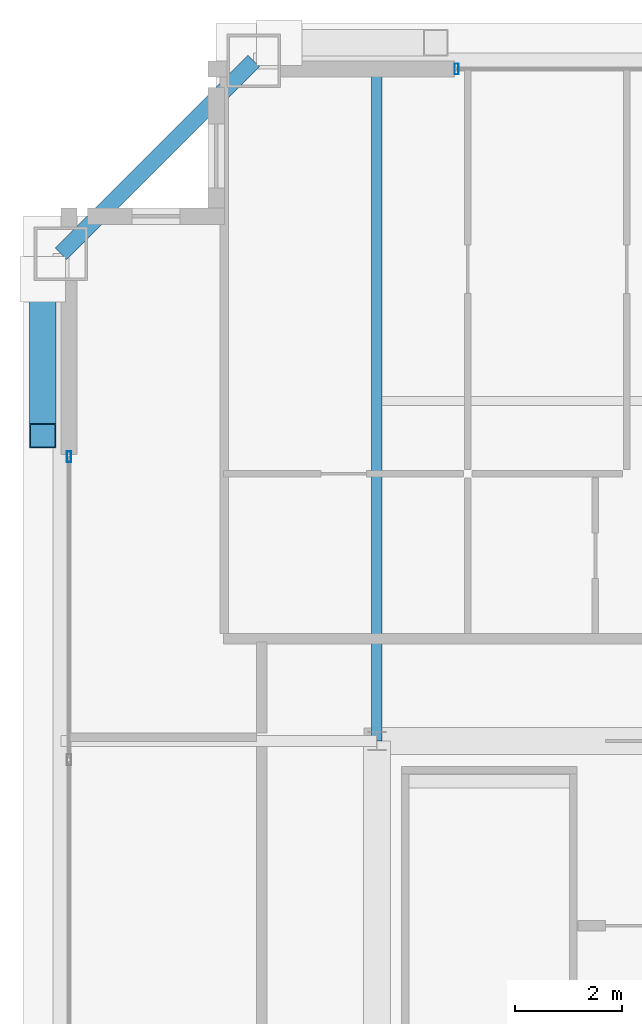
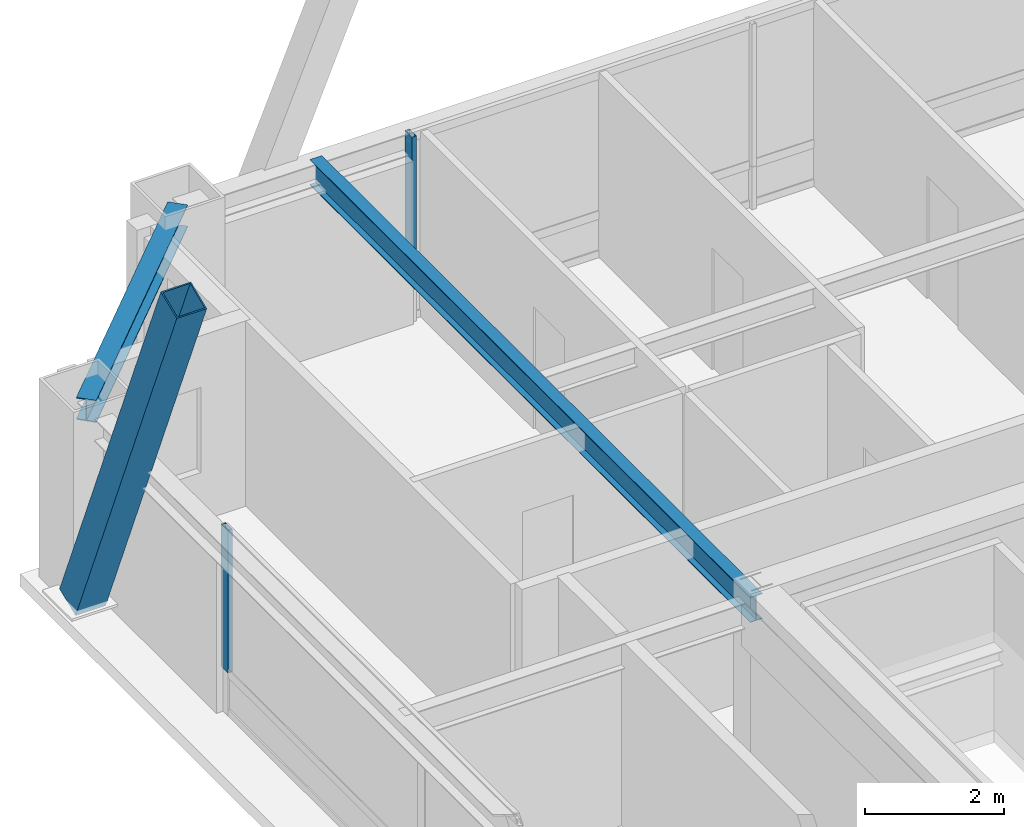
# One storey, part 15 of 35: 3 members, 2 beams, 2 elements without a shape of their own.
"""IFC4 building model written with IfcOpenShell, lengths in metres."""

from ifc_helpers import new_model, si_unit, direction, frame, origin, origin_2d, place, context, subcontext, project, spatial, hollow_rectangle, i_section, extrude, source, transform, mapped, material, layer, layer_set, material_profile, profile_set, type_object, element, aggregate, save


model = new_model("IFC4")

# Units and contexts
model_context = context("Model", 3, precision=1e-05, world=origin(), true_north=direction((0.0, 1.0)))
body_context = subcontext(model_context, "Body", "Model", "MODEL_VIEW")
ifc_project = project(units=[si_unit("LENGTHUNIT", "METRE"), si_unit("AREAUNIT", "SQUARE_METRE"), si_unit("VOLUMEUNIT", "CUBIC_METRE"), si_unit("PLANEANGLEUNIT", "RADIAN"), si_unit("MASSUNIT", "GRAM", prefix="KILO"), si_unit("THERMODYNAMICTEMPERATUREUNIT", "KELVIN"), si_unit("POWERUNIT", "WATT")], contexts=[model_context])

# Site, building, storey
site_placement = place(None, origin())
site = spatial("IfcSite", under=ifc_project, at=site_placement, CompositionType="ELEMENT")
building_placement = place(site_placement, origin())
building = spatial("IfcBuilding", under=site, at=building_placement, Name="Yuzanri Waterfront Tower", CompositionType="ELEMENT")
storey_placement = place(building_placement, frame((0.0, 0.0, 335.699951171875)))
storey = spatial("IfcBuildingStorey", under=building, at=storey_placement, Name="L90", CompositionType="ELEMENT", Elevation=335.699951171875)

# Beams
ifc_material_1 = material(Name="Steel Q355B", Category="steel")
ifc_material_profile_1 = material_profile(ifc_material_1, i_section(OverallWidth=0.300048828125, OverallDepth=0.389892578125, WebThickness=0.010009765625, FlangeThickness=0.01611328125, at=origin_2d()), Name="HM 390x300x10x16")
ifc_profile_set_1 = profile_set([ifc_material_profile_1], Name="Steel Q355B")
beam_type_1 = type_object("IfcBeamType", Name="Perimeter Spandrel Q355B HM 390x300", PredefinedType="SPANDREL", material=ifc_profile_set_1)
shared_shape_1 = source(origin(), body_context, "Body", "SweptSolid", [
    extrude(i_section(OverallWidth=0.300048828125, OverallDepth=0.389892578125, WebThickness=0.010009765625, FlangeThickness=0.01611328125, at=origin_2d()), origin(), (0.0, 0.0, 1.0), 5.091064453125),
])
beam_1_placement = place(storey_placement, frame((21.5, 44.89990234375, 3.06494140625), z_axis=(-0.707130757816, -0.707082803744, 0.0), x_axis=(0.707082803744, -0.707130757816, 0.0)))
element("IfcBeam", 1, at=beam_1_placement, inside=storey, type_object=beam_type_1, Name="L90 Perimeter Spandrel N1-W3", PredefinedType="SPANDREL", context=body_context, shape_type="MappedRepresentation", body=[
    mapped(shared_shape_1, transform((0.0, 0.0, 0.0), scale=1.0)),
])
ifc_material_2 = material(Name="Steel Q355B", Category="steel")
ifc_material_profile_2 = material_profile(ifc_material_2, i_section(OverallWidth=0.199951171875, OverallDepth=0.449951171875, WebThickness=0.009033203125, FlangeThickness=0.013916015625, at=origin_2d()), Name="HN 450x200x9x14")
ifc_profile_set_2 = profile_set([ifc_material_profile_2], Name="Steel Q355B")
beam_type_2 = type_object("IfcBeamType", Name="Secondary Floor Beam Q355B HN 450x200", PredefinedType="BEAM", material=ifc_profile_set_2)
shared_shape_2 = source(origin(), body_context, "Body", "SweptSolid", [
    extrude(i_section(OverallWidth=0.199951171875, OverallDepth=0.449951171875, WebThickness=0.009033203125, FlangeThickness=0.013916015625, at=origin_2d()), origin(), (0.0, 0.0, 1.0), 12.699951171875),
])
beam_2_placement = place(storey_placement, frame((23.800048828125, 32.199951171875, 3.03515625), z_axis=(0.0, 1.0, 0.0), x_axis=(-1.0, 0.0, 0.0)))
element("IfcBeam", 2, at=beam_2_placement, inside=storey, type_object=beam_type_2, Name="L90 North-West Core Line Beam", PredefinedType="BEAM", context=body_context, shape_type="MappedRepresentation", body=[
    mapped(shared_shape_2, transform((0.0, 0.0, 0.0), scale=1.0)),
])

# Member
ifc_material_3 = material(Name="Steel Q390GJC", Category="steel")
ifc_material_profile_3 = material_profile(ifc_material_3, hollow_rectangle(XDim=0.5, YDim=0.5, WallThickness=0.02197265625, at=origin_2d()), Name="RHS 500x500x22")
ifc_profile_set_3 = profile_set([ifc_material_profile_3], Name="Steel Q390GJC")
member_type_1 = type_object("IfcMemberType", Name="Mega Brace Upper Q390GJC RHS 500x500x22", PredefinedType="BRACE", material=ifc_profile_set_3)
shared_shape_3 = source(origin(), body_context, "Body", "SweptSolid", [
    extrude(hollow_rectangle(XDim=0.5, YDim=0.5, WallThickness=0.02197265625, at=origin_2d()), origin(), (0.0, 0.0, 1.0), 7.584716796875),
])
member_1_placement = place(storey_placement, frame((17.56005859375, 40.820068359375, 0.179931640625), z_axis=(0.0, -0.385008470318, 0.922913039123), x_axis=(1.0, 0.0, 0.0)))
element("IfcMember", 3, at=member_1_placement, inside=storey, type_object=member_type_1, Name="L90-L91 Perimeter Mega-Brace W-R", PredefinedType="BRACE", context=body_context, shape_type="MappedRepresentation", body=[
    mapped(shared_shape_3, transform((0.0, 0.0, 0.0), scale=1.0)),
])

# Curtain wall, member
ifc_material_4 = material(Name="Anodized Architectural Bronze", Category="metal")
ifc_layer = layer(ifc_material_4, 0.159912109375)
ifc_layer_set = layer_set([ifc_layer], Name="Anodized Architectural Bronze")
curtain_wall_type = type_object("IfcCurtainWallType", Name="Anodized Bronze High-Rise Penthouse High-Wind Unitized Curtain Wall 6900", PredefinedType="NOTDEFINED", material=ifc_layer_set)
curtain_wall_1_placement = place(storey_placement, origin())
curtain_wall_1 = element("IfcCurtainWall", 4, at=curtain_wall_1_placement, inside=storey, type_object=curtain_wall_type, Name="L90 Curtain Wall CW-L90-NL", PredefinedType="NOTDEFINED")
ifc_material_5 = material(Name="Anodized Architectural Bronze", Category="metal")
ifc_material_profile_4 = material_profile(ifc_material_5, hollow_rectangle(XDim=0.074951171875, YDim=0.199951171875, WallThickness=0.00390625, at=origin_2d()), Name="CWM 75x200")
ifc_profile_set_4 = profile_set([ifc_material_profile_4], Name="Anodized Architectural Bronze")
member_type_2 = type_object("IfcMemberType", Name="Anodized Bronze Primary Curtain-Wall Mullion 75x200", PredefinedType="MULLION", material=ifc_profile_set_4)
shared_shape_4 = source(origin(), body_context, "Body", "SweptSolid", [
    extrude(hollow_rectangle(XDim=0.074951171875, YDim=0.199951171875, WallThickness=0.00390625, at=origin_2d()), origin(), (0.0, 0.0, 1.0), 2.508056640625),
])
member_2_placement = place(storey_placement, frame((25.2900390625, 44.75, 0.751953125), z_axis=(0.0, 0.0, 1.0), x_axis=(1.0, 0.0, 0.0)))
member_2 = element("IfcMember", 5, at=member_2_placement, type_object=member_type_2, Name="CW-L90-NL Upper Mullion 00", PredefinedType="MULLION", context=body_context, shape_type="MappedRepresentation", body=[
    mapped(shared_shape_4, transform((0.0, 0.0, 0.0), scale=1.0)),
])
aggregate(curtain_wall_1, [member_2])

curtain_wall_2_placement = place(storey_placement, origin())
curtain_wall_2 = element("IfcCurtainWall", 6, at=curtain_wall_2_placement, inside=storey, type_object=curtain_wall_type, Name="L90 Curtain Wall CW-L90-WR", PredefinedType="NOTDEFINED")
member_3_placement = place(storey_placement, frame((18.050048828125, 37.510009765625, 0.751953125), z_axis=(0.0, 0.0, 1.0), x_axis=(1.0, 0.0, 0.0)))
member_3 = element("IfcMember", 7, at=member_3_placement, type_object=member_type_2, Name="CW-L90-WR Upper Mullion 02", PredefinedType="MULLION", context=body_context, shape_type="MappedRepresentation", body=[
    mapped(shared_shape_4, transform((0.0, 0.0, 0.0), scale=1.0)),
])
aggregate(curtain_wall_2, [member_3])

save(model, "model.ifc")
